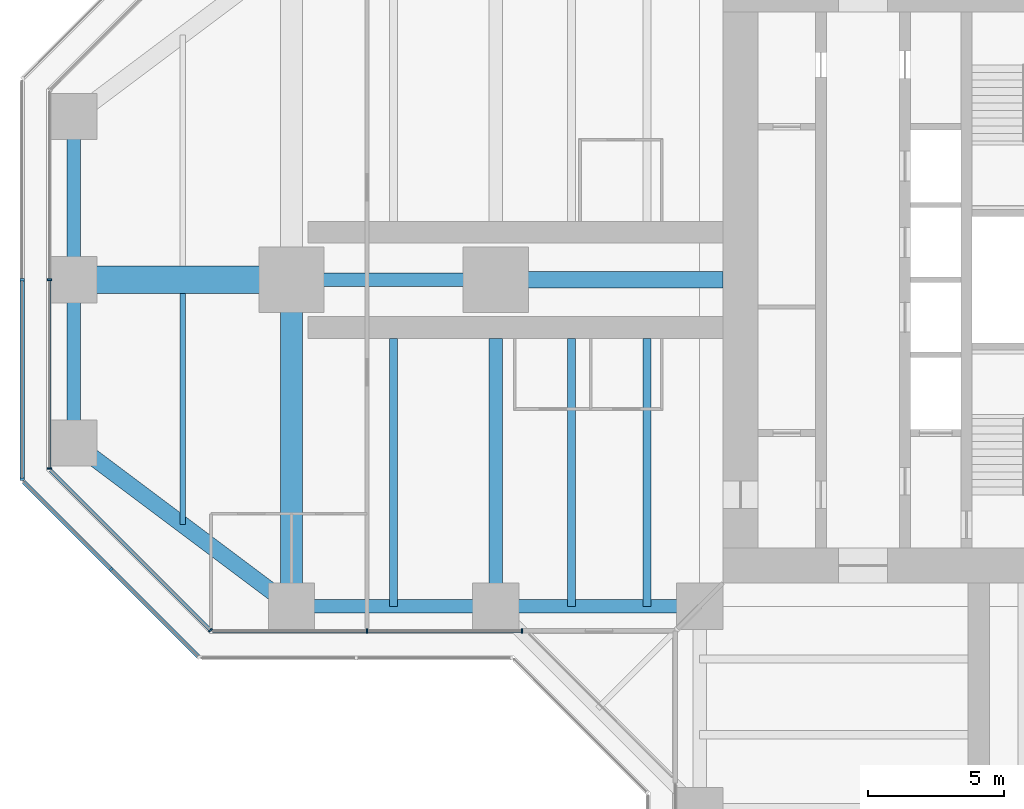
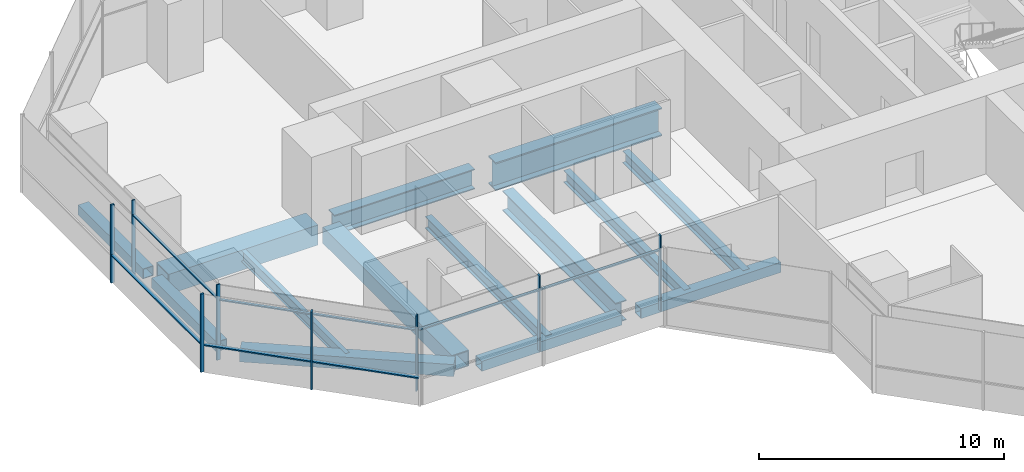
# One storey, part 3 of 20: 15 members, 14 beams, 5 elements without a shape of their own.
"""IFC4 building model written with IfcOpenShell, lengths in metres."""

from ifc_helpers import new_model, si_unit, direction, frame, origin, origin_2d, place, context, subcontext, project, spatial, rectangle, hollow_rectangle, i_section, extrude, material, material_profile, profile_set, type_object, element, aggregate, save


model = new_model("IFC4")

# Units and contexts
model_context = context("Model", 3, precision=1e-05, world=origin(), true_north=direction((0.0, 1.0)))
body_context = subcontext(model_context, "Body", "Model", "MODEL_VIEW")
ifc_project = project(units=[si_unit("LENGTHUNIT", "METRE"), si_unit("AREAUNIT", "SQUARE_METRE"), si_unit("VOLUMEUNIT", "CUBIC_METRE"), si_unit("PLANEANGLEUNIT", "RADIAN"), si_unit("MASSUNIT", "GRAM", prefix="KILO")], contexts=[model_context])

# Site, building, storey
site_placement = place(None, origin())
site = spatial("IfcSite", under=ifc_project, at=site_placement, CompositionType="ELEMENT")
building_placement = place(site_placement, origin())
building = spatial("IfcBuilding", under=site, at=building_placement, Name="Mizan Broadcast Tower", CompositionType="ELEMENT")
storey_placement = place(building_placement, frame((0.0, 0.0, 135.89990234375)))
storey = spatial("IfcBuildingStorey", under=building, at=storey_placement, Name="L30", CompositionType="ELEMENT", Elevation=135.89990234375)

# Beams
ifc_material_1 = material(Name="Steel S355", Category="steel")
ifc_material_profile_1 = material_profile(ifc_material_1, hollow_rectangle(XDim=0.5, YDim=0.5, WallThickness=0.030029296875, at=origin_2d()), Name="BOX 500x500x30")
ifc_profile_set_1 = profile_set([ifc_material_profile_1], Name="Steel S355")
beam_type_1 = type_object("IfcBeamType", Name="EDGE BEAM BOX 500x500x30", PredefinedType="SPANDREL", material=ifc_profile_set_1)
beam_1_placement = place(storey_placement, frame((-35.0, 5.639892578125, -0.3798828125), z_axis=(0.0, -1.0, 0.0), x_axis=(1.0, 0.0, 0.0)))
element("IfcBeam", 1, at=beam_1_placement, inside=storey, type_object=beam_type_1, Name="Edge beam BOX 500x500x30 L30 west arm", PredefinedType="SPANDREL", context=body_context, shape_type="SweptSolid", body=[
    extrude(hollow_rectangle(XDim=0.5, YDim=0.5, WallThickness=0.030029296875, at=origin_2d()), origin(), (0.0, 0.0, 1.0), 5.27978515625),
])
for number, where, z_axis, x_axis, name in (
    (2, (-12.449951171875, -12.0, -0.3798828125), (-1.0, 0.0, 0.0), (0.0, -1.0, 0.0), "Edge beam BOX 500x500x30 L30 west arm"),
    (3, (-19.949951171875, -12.0, -0.3798828125), (-1.0, 0.0, 0.0), (0.0, -1.0, 0.0), "Edge beam BOX 500x500x30 L30 west arm"),
):
    element("IfcBeam", number, at=place(storey_placement, frame(where, z_axis=z_axis, x_axis=x_axis)), inside=storey, type_object=beam_type_1, Name=name, PredefinedType="SPANDREL", context=body_context, shape_type="SweptSolid", body=[
        extrude(hollow_rectangle(XDim=0.5, YDim=0.5, WallThickness=0.030029296875, at=origin_2d()), origin(), (0.0, 0.0, 1.0), 6.60009765625),
    ])
beam_2_placement = place(storey_placement, frame((-35.0, -5.639892578125, -0.3798828125), z_axis=(0.0, 1.0, 0.0), x_axis=(-1.0, 0.0, 0.0)))
element("IfcBeam", 4, at=beam_2_placement, inside=storey, type_object=beam_type_1, Name="Edge beam BOX 500x500x30 L30 west arm", PredefinedType="SPANDREL", context=body_context, shape_type="SweptSolid", body=[
    extrude(hollow_rectangle(XDim=0.5, YDim=0.5, WallThickness=0.030029296875, at=origin_2d()), origin(), (0.0, 0.0, 1.0), 5.27978515625),
])
ifc_material_2 = material(Name="Steel S355", Category="steel")
ifc_material_profile_2 = material_profile(ifc_material_2, hollow_rectangle(XDim=0.60009765625, YDim=0.60009765625, WallThickness=0.030029296875, at=origin_2d()), Name="BOX 600x600x30")
ifc_profile_set_2 = profile_set([ifc_material_profile_2], Name="Steel S355")
beam_type_2 = type_object("IfcBeamType", Name="EDGE BEAM BOX 600x600x30", PredefinedType="SPANDREL", material=ifc_profile_set_2)
beam_3_placement = place(storey_placement, frame((-27.47998046875, -11.639892578125, -0.429931640625), z_axis=(-0.800013316712, 0.599982243973, 0.0), x_axis=(-0.599982243973, -0.800013316712, 0.0)))
element("IfcBeam", 5, at=beam_3_placement, inside=storey, type_object=beam_type_2, Name="Edge beam BOX 600x600x30 L30 west arm", PredefinedType="SPANDREL", context=body_context, shape_type="SweptSolid", body=[
    extrude(hollow_rectangle(XDim=0.60009765625, YDim=0.60009765625, WallThickness=0.030029296875, at=origin_2d()), origin(), (0.0, 0.0, 1.0), 8.7998046875),
])
ifc_material_3 = material(Name="Steel S460", Category="steel")
ifc_material_profile_3 = material_profile(ifc_material_3, hollow_rectangle(XDim=1.0, YDim=1.0, WallThickness=0.06005859375, at=origin_2d()), Name="BOX 1000x1000x60")
ifc_profile_set_3 = profile_set([ifc_material_profile_3], Name="Steel S460")
beam_type_3 = type_object("IfcBeamType", Name="GIRDER BOX 1000x1000x60", PredefinedType="BEAM", material=ifc_profile_set_3)
beam_4_placement = place(storey_placement, frame((-27.47998046875, 0.0, -0.6298828125), z_axis=(-1.0, 0.0, 0.0), x_axis=(0.0, -1.0, 0.0)))
element("IfcBeam", 6, at=beam_4_placement, inside=storey, type_object=beam_type_3, Name="Girder BOX 1000x1000x60 L30 west arm", PredefinedType="BEAM", context=body_context, shape_type="SweptSolid", body=[
    extrude(hollow_rectangle(XDim=1.0, YDim=1.0, WallThickness=0.06005859375, at=origin_2d()), origin(), (0.0, 0.0, 1.0), 7.0400390625),
])
ifc_material_4 = material(Name="Steel S460", Category="steel")
ifc_material_profile_4 = material_profile(ifc_material_4, hollow_rectangle(XDim=0.800048828125, YDim=0.800048828125, WallThickness=0.050048828125, at=origin_2d()), Name="BOX 800x800x50")
ifc_profile_set_4 = profile_set([ifc_material_profile_4], Name="Steel S460")
beam_type_4 = type_object("IfcBeamType", Name="GIRDER BOX 800x800x50", PredefinedType="BEAM", material=ifc_profile_set_4)
beam_5_placement = place(storey_placement, frame((-27.0, -11.280029296875, -0.52978515625), z_axis=(0.0, 1.0, 0.0), x_axis=(-1.0, 0.0, 0.0)))
element("IfcBeam", 7, at=beam_5_placement, inside=storey, type_object=beam_type_4, Name="Girder BOX 800x800x50 L30 west arm", PredefinedType="BEAM", context=body_context, shape_type="SweptSolid", body=[
    extrude(hollow_rectangle(XDim=0.800048828125, YDim=0.800048828125, WallThickness=0.050048828125, at=origin_2d()), origin(), (0.0, 0.0, 1.0), 10.56005859375),
])
ifc_material_5 = material(Name="Steel S460", Category="steel")
ifc_material_profile_5 = material_profile(ifc_material_5, i_section(OverallWidth=0.5, OverallDepth=1.0, WebThickness=0.02490234375, FlangeThickness=0.050048828125, at=origin_2d()), Name="WPG 1000x500")
ifc_profile_set_5 = profile_set([ifc_material_profile_5], Name="Steel S460")
beam_type_5 = type_object("IfcBeamType", Name="GIRDER WPG 1000x500", PredefinedType="BEAM", material=ifc_profile_set_5)
beam_6_placement = place(storey_placement, frame((-19.949951171875, 0.0, -0.6298828125), z_axis=(-1.0, 0.0, 0.0), x_axis=(0.0, -1.0, 0.0)))
element("IfcBeam", 8, at=beam_6_placement, inside=storey, type_object=beam_type_5, Name="Girder WPG 1000x500 L30 west arm", PredefinedType="BEAM", context=body_context, shape_type="SweptSolid", body=[
    extrude(i_section(OverallWidth=0.5, OverallDepth=1.0, WebThickness=0.02490234375, FlangeThickness=0.050048828125, at=origin_2d()), origin(), (0.0, 0.0, 1.0), 6.60009765625),
])
beam_7_placement = place(storey_placement, frame((-19.5, -11.408935546875, -0.6298828125), z_axis=(0.0, 1.0, 0.0), x_axis=(-1.0, 0.0, 0.0)))
element("IfcBeam", 9, at=beam_7_placement, inside=storey, type_object=beam_type_5, Name="Girder WPG 1000x500 L30 west arm", PredefinedType="BEAM", context=body_context, shape_type="SweptSolid", body=[
    extrude(i_section(OverallWidth=0.5, OverallDepth=1.0, WebThickness=0.02490234375, FlangeThickness=0.050048828125, at=origin_2d()), origin(), (0.0, 0.0, 1.0), 9.259033203125),
])
ifc_material_6 = material(Name="Steel S460", Category="steel")
ifc_material_profile_6 = material_profile(ifc_material_6, i_section(OverallWidth=0.60009765625, OverallDepth=1.39990234375, WebThickness=0.02490234375, FlangeThickness=0.06005859375, at=origin_2d()), Name="WPG 1400x600")
ifc_profile_set_6 = profile_set([ifc_material_profile_6], Name="Steel S460")
beam_type_6 = type_object("IfcBeamType", Name="GIRDER WPG 1400x600", PredefinedType="BEAM", material=ifc_profile_set_6)
beam_8_placement = place(storey_placement, frame((-11.14990234375, 0.0, -0.829833984375), z_axis=(-1.0, 0.0, 0.0), x_axis=(0.0, -1.0, 0.0)))
element("IfcBeam", 10, at=beam_8_placement, inside=storey, type_object=beam_type_6, Name="Girder WPG 1400x600 L30 west arm", PredefinedType="BEAM", context=body_context, shape_type="SweptSolid", body=[
    extrude(i_section(OverallWidth=0.60009765625, OverallDepth=1.39990234375, WebThickness=0.02490234375, FlangeThickness=0.06005859375, at=origin_2d()), origin(), (0.0, 0.0, 1.0), 7.84912109375),
])

# Curtain wall, members
ifc_material_7 = material(Name="Aluminium framed glazing", Category="aluminium")
curtain_wall_type_1 = type_object("IfcCurtainWallType", Name="INNER SKIN MID ZONE", PredefinedType="USERDEFINED", material=ifc_material_7)
curtain_wall_1_placement = place(storey_placement, origin())
curtain_wall_1 = element("IfcCurtainWall", 11, at=curtain_wall_1_placement, inside=storey, type_object=curtain_wall_type_1, Name="Inner skin mid zone L30 W end", ObjectType="INNER SKIN MID ZONE", PredefinedType="USERDEFINED")
ifc_material_8 = material(Name="Aluminium, pale anodised", Category="aluminium")
ifc_material_profile_7 = material_profile(ifc_material_8, rectangle(XDim=0.159912109375, YDim=0.06005859375, at=origin_2d()), Name="MULLION 160x60")
ifc_profile_set_7 = profile_set([ifc_material_profile_7], Name="Aluminium, pale anodised")
member_type_1 = type_object("IfcMemberType", Name="INNER SKIN MULLION 60x160", PredefinedType="MULLION", material=ifc_profile_set_7)
member_1_placement = place(storey_placement, frame((-35.89990234375, 0.0, 0.0), z_axis=(0.0, 0.0, 1.0), x_axis=(1.0, 0.0, 0.0)))
member_1 = element("IfcMember", 12, at=member_1_placement, type_object=member_type_1, Name="Inner skin mid zone L30 W end mullion 2", PredefinedType="MULLION", context=body_context, shape_type="SweptSolid", body=[
    extrude(rectangle(XDim=0.159912109375, YDim=0.06005859375, at=origin_2d()), origin(), (0.0, 0.0, 1.0), 3.77001953125),
])
member_2_placement = place(storey_placement, frame((-35.89990234375, -6.928466796875, 0.0), z_axis=(0.0, 0.0, 1.0), x_axis=(1.0, 0.0, 0.0)))
member_2 = element("IfcMember", 13, at=member_2_placement, type_object=member_type_1, Name="Inner skin mid zone L30 W end mullion 3", PredefinedType="MULLION", context=body_context, shape_type="SweptSolid", body=[
    extrude(rectangle(XDim=0.159912109375, YDim=0.06005859375, at=origin_2d()), origin(), (0.0, 0.0, 1.0), 3.77001953125),
])

# Curtain wall, member
curtain_wall_2_placement = place(storey_placement, origin())
curtain_wall_2 = element("IfcCurtainWall", 14, at=curtain_wall_2_placement, inside=storey, type_object=curtain_wall_type_1, Name="Inner skin mid zone L30 W chamfer", ObjectType="INNER SKIN MID ZONE", PredefinedType="USERDEFINED")
member_3_placement = place(storey_placement, frame((-29.979736328125, -12.87890625, 0.0), z_axis=(0.0, 0.0, 1.0), x_axis=(0.707106781187, 0.707106781187, 0.0)))
member_3 = element("IfcMember", 15, at=member_3_placement, type_object=member_type_1, Name="Inner skin mid zone L30 W chamfer mullion 2", PredefinedType="MULLION", context=body_context, shape_type="SweptSolid", body=[
    extrude(rectangle(XDim=0.159912109375, YDim=0.06005859375, at=origin_2d()), origin(), (0.0, 0.0, 1.0), 3.77001953125),
])

# Curtain wall, members
curtain_wall_3_placement = place(storey_placement, origin())
curtain_wall_3 = element("IfcCurtainWall", 16, at=curtain_wall_3_placement, inside=storey, type_object=curtain_wall_type_1, Name="Inner skin mid zone L30 W side", ObjectType="INNER SKIN MID ZONE", PredefinedType="USERDEFINED")
member_4_placement = place(storey_placement, frame((-24.229248046875, -12.89990234375, 0.0), z_axis=(0.0, 0.0, 1.0), x_axis=(0.0, 1.0, 0.0)))
member_4 = element("IfcMember", 17, at=member_4_placement, type_object=member_type_1, Name="Inner skin mid zone L30 W side mullion 2", PredefinedType="MULLION", context=body_context, shape_type="SweptSolid", body=[
    extrude(rectangle(XDim=0.159912109375, YDim=0.06005859375, at=origin_2d()), origin(), (0.0, 0.0, 1.0), 3.77001953125),
])
member_5_placement = place(storey_placement, frame((-18.530029296875, -12.89990234375, 0.0), z_axis=(0.0, 0.0, 1.0), x_axis=(0.0, 1.0, 0.0)))
member_5 = element("IfcMember", 18, at=member_5_placement, type_object=member_type_1, Name="Inner skin mid zone L30 W side mullion 3", PredefinedType="MULLION", context=body_context, shape_type="SweptSolid", body=[
    extrude(rectangle(XDim=0.159912109375, YDim=0.06005859375, at=origin_2d()), origin(), (0.0, 0.0, 1.0), 3.77001953125),
])

# Member
ifc_material_9 = material(Name="Aluminium, pale anodised", Category="aluminium")
ifc_material_profile_8 = material_profile(ifc_material_9, rectangle(XDim=0.1201171875, YDim=0.06005859375, at=origin_2d()), Name="TRANSOM 120x60")
ifc_profile_set_8 = profile_set([ifc_material_profile_8], Name="Aluminium, pale anodised")
member_type_2 = type_object("IfcMemberType", Name="INNER SKIN TRANSOM 60x120", PredefinedType="USERDEFINED", material=ifc_profile_set_8)
member_6_placement = place(storey_placement, frame((-35.89990234375, -0.030029296875, 3.030029296875), z_axis=(0.0, -1.0, 0.0), x_axis=(1.0, 0.0, 0.0)))
member_6 = element("IfcMember", 19, at=member_6_placement, type_object=member_type_2, Name="Inner skin mid zone L30 W end transom 2.1", ObjectType="TRANSOM", PredefinedType="USERDEFINED", context=body_context, shape_type="SweptSolid", body=[
    extrude(rectangle(XDim=0.1201171875, YDim=0.06005859375, at=origin_2d()), origin(), (0.0, 0.0, 1.0), 6.86865234375),
])

aggregate(curtain_wall_1, [member_1, member_2, member_6])

member_7_placement = place(storey_placement, frame((-35.857666015625, -7.0009765625, 3.030029296875), z_axis=(0.707106781187, -0.707106781187, 0.0), x_axis=(0.707106781187, 0.707106781187, 0.0)))
member_7 = element("IfcMember", 20, at=member_7_placement, type_object=member_type_2, Name="Inner skin mid zone L30 W chamfer transom 1.1", ObjectType="TRANSOM", PredefinedType="USERDEFINED", context=body_context, shape_type="SweptSolid", body=[
    extrude(rectangle(XDim=0.1201171875, YDim=0.06005859375, at=origin_2d()), origin(), (0.0, 0.0, 1.0), 8.28271484375),
])

aggregate(curtain_wall_2, [member_3, member_7])

member_8_placement = place(storey_placement, frame((-29.898681640625, -12.89990234375, 3.030029296875), z_axis=(1.0, 0.0, 0.0), x_axis=(0.0, 1.0, 0.0)))
member_8 = element("IfcMember", 21, at=member_8_placement, type_object=member_type_2, Name="Inner skin mid zone L30 W side transom 1.1", ObjectType="TRANSOM", PredefinedType="USERDEFINED", context=body_context, shape_type="SweptSolid", body=[
    extrude(rectangle(XDim=0.1201171875, YDim=0.06005859375, at=origin_2d()), origin(), (0.0, 0.0, 1.0), 5.639404296875),
])

member_9_placement = place(storey_placement, frame((-24.19921875, -12.89990234375, 3.030029296875), z_axis=(1.0, 0.0, 0.0), x_axis=(0.0, 1.0, 0.0)))
member_9 = element("IfcMember", 22, at=member_9_placement, type_object=member_type_2, Name="Inner skin mid zone L30 W side transom 2.1", ObjectType="TRANSOM", PredefinedType="USERDEFINED", context=body_context, shape_type="SweptSolid", body=[
    extrude(rectangle(XDim=0.1201171875, YDim=0.06005859375, at=origin_2d()), origin(), (0.0, 0.0, 1.0), 5.63916015625),
])

aggregate(curtain_wall_3, [member_4, member_5, member_8, member_9])

# Curtain wall, members
ifc_material_10 = material(Name="Aluminium framed glazing", Category="aluminium")
curtain_wall_type_2 = type_object("IfcCurtainWallType", Name="OUTER SKIN", PredefinedType="USERDEFINED", material=ifc_material_10)
curtain_wall_4_placement = place(storey_placement, origin())
curtain_wall_4 = element("IfcCurtainWall", 23, at=curtain_wall_4_placement, inside=storey, type_object=curtain_wall_type_2, Name="Outer skin L30 W end", ObjectType="OUTER SKIN", PredefinedType="USERDEFINED")
ifc_material_11 = material(Name="Aluminium, pale anodised", Category="aluminium")
ifc_material_profile_9 = material_profile(ifc_material_11, rectangle(XDim=0.159912109375, YDim=0.080078125, at=origin_2d()), Name="MULLION 160x80")
ifc_profile_set_9 = profile_set([ifc_material_profile_9], Name="Aluminium, pale anodised")
member_type_3 = type_object("IfcMemberType", Name="OUTER SKIN MULLION 80x160", PredefinedType="MULLION", material=ifc_profile_set_9)
member_10_placement = place(storey_placement, frame((-36.89990234375, 0.0, 0.0), z_axis=(0.0, 0.0, 1.0), x_axis=(1.0, 0.0, 0.0)))
member_10 = element("IfcMember", 24, at=member_10_placement, type_object=member_type_3, Name="Outer skin L30 W end mullion 2", PredefinedType="MULLION", context=body_context, shape_type="SweptSolid", body=[
    extrude(rectangle(XDim=0.159912109375, YDim=0.080078125, at=origin_2d()), origin(), (0.0, 0.0, 1.0), 3.900146484375),
])
member_11_placement = place(storey_placement, frame((-36.89990234375, -7.332763671875, 0.0), z_axis=(0.0, 0.0, 1.0), x_axis=(1.0, 0.0, 0.0)))
member_11 = element("IfcMember", 25, at=member_11_placement, type_object=member_type_3, Name="Outer skin L30 W end mullion 3", PredefinedType="MULLION", context=body_context, shape_type="SweptSolid", body=[
    extrude(rectangle(XDim=0.159912109375, YDim=0.080078125, at=origin_2d()), origin(), (0.0, 0.0, 1.0), 3.900146484375),
])

# Curtain wall, member
curtain_wall_5_placement = place(storey_placement, origin())
curtain_wall_5 = element("IfcCurtainWall", 26, at=curtain_wall_5_placement, inside=storey, type_object=curtain_wall_type_2, Name="Outer skin L30 W chamfer", ObjectType="OUTER SKIN", PredefinedType="USERDEFINED")
member_12_placement = place(storey_placement, frame((-33.636474609375, -10.636474609375, 0.0), z_axis=(0.0, 0.0, 1.0), x_axis=(0.707106781187, 0.707106781187, 0.0)))
member_12 = element("IfcMember", 27, at=member_12_placement, type_object=member_type_3, Name="Outer skin L30 W chamfer mullion 2", PredefinedType="MULLION", context=body_context, shape_type="SweptSolid", body=[
    extrude(rectangle(XDim=0.159912109375, YDim=0.080078125, at=origin_2d()), origin(), (0.0, 0.0, 1.0), 3.900146484375),
])

# Member
ifc_material_12 = material(Name="Aluminium, pale anodised", Category="aluminium")
ifc_material_profile_10 = material_profile(ifc_material_12, rectangle(XDim=0.159912109375, YDim=0.06005859375, at=origin_2d()), Name="TRANSOM 160x60")
ifc_profile_set_10 = profile_set([ifc_material_profile_10], Name="Aluminium, pale anodised")
member_type_4 = type_object("IfcMemberType", Name="OUTER SKIN TRANSOM 60x160", PredefinedType="USERDEFINED", material=ifc_profile_set_10)
member_13_placement = place(storey_placement, frame((-36.89990234375, -0.0400390625, 1.400146484375), z_axis=(0.0, -1.0, 0.0), x_axis=(1.0, 0.0, 0.0)))
member_13 = element("IfcMember", 28, at=member_13_placement, type_object=member_type_4, Name="Outer skin L30 W end transom 2.1", ObjectType="TRANSOM", PredefinedType="USERDEFINED", context=body_context, shape_type="SweptSolid", body=[
    extrude(rectangle(XDim=0.159912109375, YDim=0.06005859375, at=origin_2d()), origin(), (0.0, 0.0, 1.0), 7.252685546875),
])

aggregate(curtain_wall_4, [member_10, member_11, member_13])

member_14_placement = place(storey_placement, frame((-36.843505859375, -7.429443359375, 1.400146484375), z_axis=(0.707106781187, -0.707106781187, 0.0), x_axis=(0.707106781187, 0.707106781187, 0.0)))
member_14 = element("IfcMember", 29, at=member_14_placement, type_object=member_type_4, Name="Outer skin L30 W chamfer transom 1.1", ObjectType="TRANSOM", PredefinedType="USERDEFINED", context=body_context, shape_type="SweptSolid", body=[
    extrude(rectangle(XDim=0.159912109375, YDim=0.06005859375, at=origin_2d()), origin(), (0.0, 0.0, 1.0), 4.495361328125),
])

member_15_placement = place(storey_placement, frame((-33.608154296875, -10.664794921875, 1.400146484375), z_axis=(0.707106781187, -0.707106781187, 0.0), x_axis=(0.707106781187, 0.707106781187, 0.0)))
member_15 = element("IfcMember", 30, at=member_15_placement, type_object=member_type_4, Name="Outer skin L30 W chamfer transom 2.1", ObjectType="TRANSOM", PredefinedType="USERDEFINED", context=body_context, shape_type="SweptSolid", body=[
    extrude(rectangle(XDim=0.159912109375, YDim=0.06005859375, at=origin_2d()), origin(), (0.0, 0.0, 1.0), 4.495361328125),
])

aggregate(curtain_wall_5, [member_12, member_14, member_15])

# Beams
ifc_material_13 = material(Name="Steel S355", Category="steel")
ifc_material_profile_11 = material_profile(ifc_material_13, i_section(OverallWidth=0.300048828125, OverallDepth=0.590087890625, WebThickness=0.012939453125, FlangeThickness=0.02490234375, FilletRadius=0.027099609375, at=origin_2d()), Name="HEA 600")
ifc_profile_set_11 = profile_set([ifc_material_profile_11], Name="Steel S355")
beam_type_7 = type_object("IfcBeamType", Name="SECONDARY BEAM HEA 600", PredefinedType="JOIST", material=ifc_profile_set_11)
for number, where, z_axis, x_axis, name in (
    (31, (-13.933349609375, -12.0, -0.4248046875), (0.0, 1.0, 0.0), (-1.0, 0.0, 0.0), "Secondary beam HEA 600 L30 west arm"),
    (32, (-16.716552734375, -12.0, -0.4248046875), (0.0, 1.0, 0.0), (-1.0, 0.0, 0.0), "Secondary beam HEA 600 L30 west arm"),
    (33, (-23.25, -12.0, -0.4248046875), (0.0, 1.0, 0.0), (-1.0, 0.0, 0.0), "Secondary beam HEA 600 L30 west arm"),
):
    element("IfcBeam", number, at=place(storey_placement, frame(where, z_axis=z_axis, x_axis=x_axis)), inside=storey, type_object=beam_type_7, Name=name, PredefinedType="JOIST", context=body_context, shape_type="SweptSolid", body=[
        extrude(i_section(OverallWidth=0.300048828125, OverallDepth=0.590087890625, WebThickness=0.012939453125, FlangeThickness=0.02490234375, FilletRadius=0.027099609375, at=origin_2d()), origin(), (0.0, 0.0, 1.0), 9.85009765625),
    ])
ifc_material_14 = material(Name="Steel S355", Category="steel")
ifc_material_profile_12 = material_profile(ifc_material_14, i_section(OverallWidth=0.2099609375, OverallDepth=0.550048828125, WebThickness=0.010986328125, FlangeThickness=0.01708984375, FilletRadius=0.02392578125, at=origin_2d()), Name="IPE 550")
ifc_profile_set_12 = profile_set([ifc_material_profile_12], Name="Steel S355")
beam_type_8 = type_object("IfcBeamType", Name="SECONDARY BEAM IPE 550", PredefinedType="JOIST", material=ifc_profile_set_12)
beam_9_placement = place(storey_placement, frame((-31.0, -9.0, -0.40478515625), z_axis=(0.0, 1.0, 0.0), x_axis=(-1.0, 0.0, 0.0)))
element("IfcBeam", 34, at=beam_9_placement, inside=storey, type_object=beam_type_8, Name="Secondary beam IPE 550 L30 west arm", PredefinedType="JOIST", context=body_context, shape_type="SweptSolid", body=[
    extrude(i_section(OverallWidth=0.2099609375, OverallDepth=0.550048828125, WebThickness=0.010986328125, FlangeThickness=0.01708984375, FilletRadius=0.02392578125, at=origin_2d()), origin(), (0.0, 0.0, 1.0), 8.5),
])

save(model, "model.ifc")
